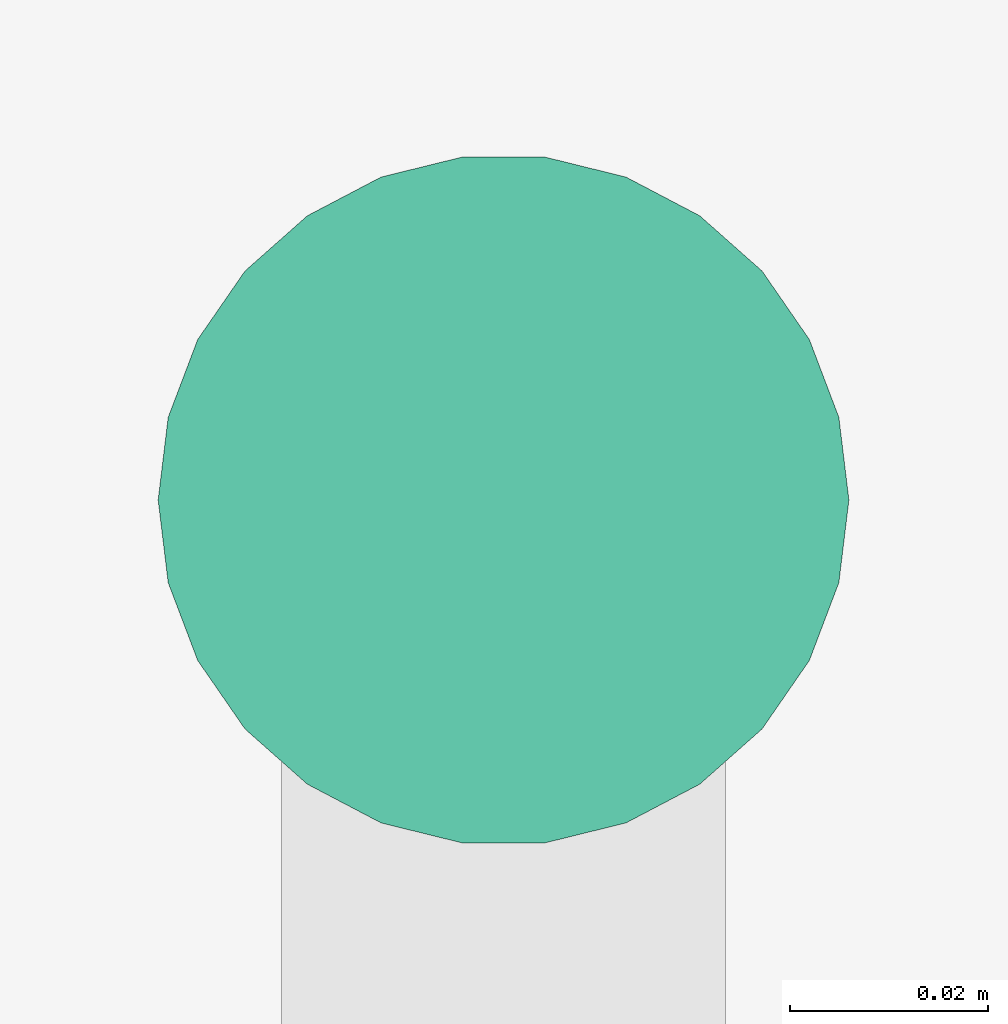
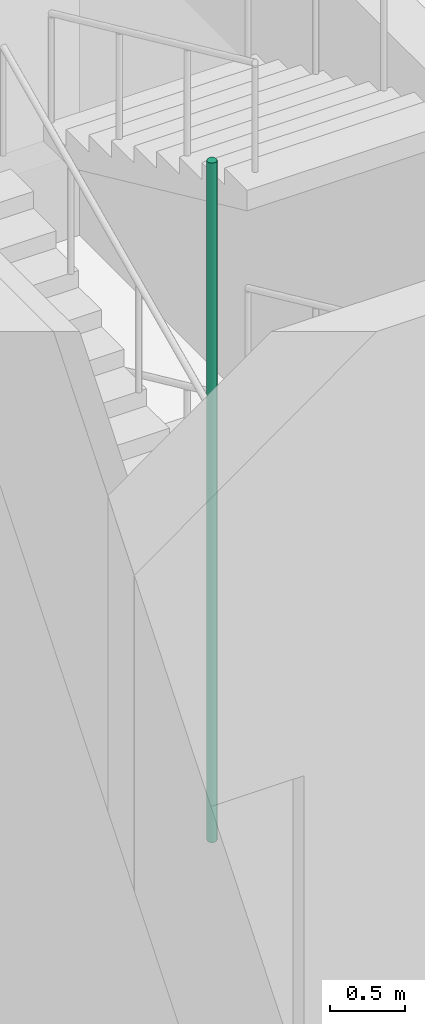
# One storey, part 25 of 33: 1 pipe segment.
"""IFC4 building model written with IfcOpenShell, lengths in metres."""

from ifc_helpers import new_model, si_unit, direction, frame, origin, origin_2d, place, context, subcontext, project, spatial, circle, extrude, element, save


model = new_model("IFC4")

# Units and contexts
model_context = context("Model", 3, precision=1e-05, world=origin(), true_north=direction((0.0, 1.0)))
body_context = subcontext(model_context, "Body", "Model", "MODEL_VIEW")
ifc_project = project(units=[si_unit("LENGTHUNIT", "METRE"), si_unit("AREAUNIT", "SQUARE_METRE"), si_unit("VOLUMEUNIT", "CUBIC_METRE"), si_unit("PLANEANGLEUNIT", "RADIAN"), si_unit("MASSUNIT", "GRAM", prefix="KILO")], contexts=[model_context])

# Site, building, storey
site_placement = place(None, origin())
site = spatial("IfcSite", under=ifc_project, at=site_placement, CompositionType="ELEMENT")
building_placement = place(site_placement, origin())
building = spatial("IfcBuilding", under=site, at=building_placement, Name="Nzadi Deep Aquarium and Research Tower", CompositionType="ELEMENT")
storey_placement = place(building_placement, frame((0.0, 0.0, -5.5)))
storey = spatial("IfcBuildingStorey", under=building, at=storey_placement, Name="B1", CompositionType="ELEMENT", Elevation=-5.5)

# Pipe segment
pipe_segment_placement = place(storey_placement, frame((2.300048828125, 116.360107421875, 0.0), z_axis=(0.0, 0.0, 1.0), x_axis=(1.0, 0.0, 0.0)))
element("IfcPipeSegment", 1, at=pipe_segment_placement, inside=storey, Name="Dry riser ST-Z3-W B1", PredefinedType="RIGIDSEGMENT", context=body_context, shape_type="SweptSolid", body=[
    extrude(circle(Radius=0.034912109375, at=origin_2d()), origin(), (0.0, 0.0, 1.0), 5.5),
])

save(model, "model.ifc")
